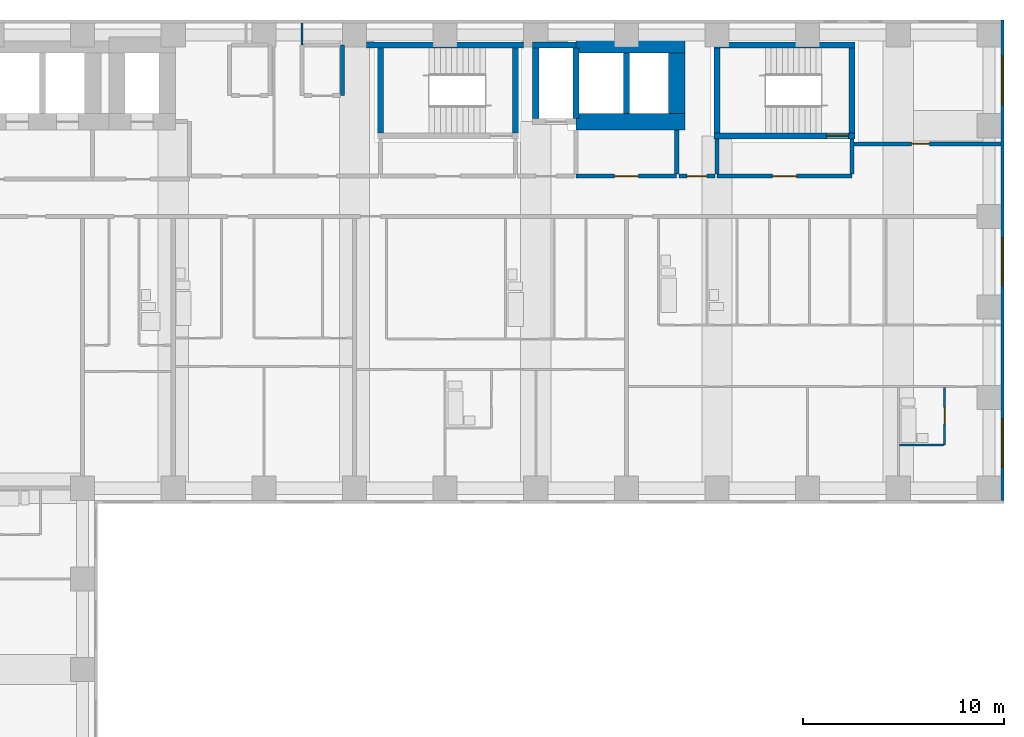
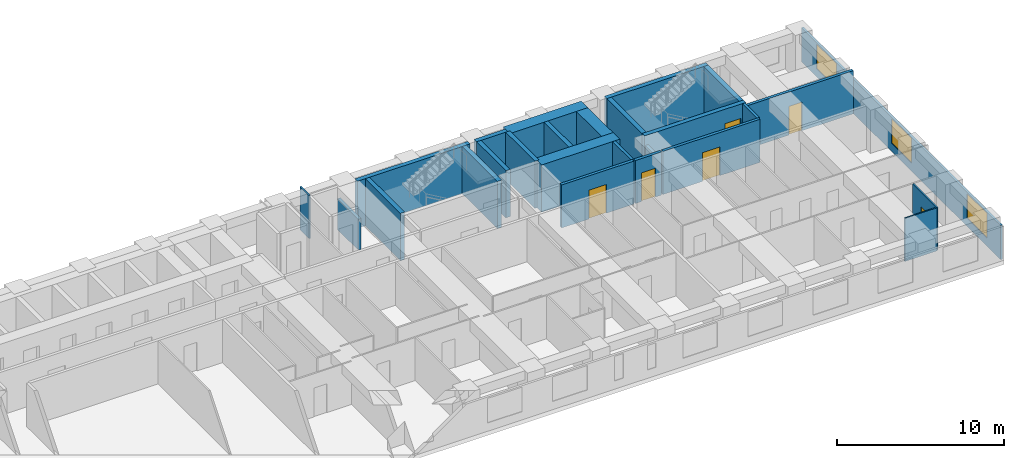
# One storey, part 10 of 13: 26 walls, 6 doors, 3 windows, 9 openings.
"""IFC4 building model written with IfcOpenShell, lengths in metres."""

from ifc_helpers import new_model, si_unit, direction, frame, frame_2d, origin, place, context, subcontext, project, spatial, rectangle, extrude, material, layer, layer_set, type_object, element, fill, save


model = new_model("IFC4")

# Units and contexts
model_context = context("Model", 3, precision=1e-05, world=origin(), true_north=direction((0.0, 1.0)))
body_context = subcontext(model_context, "Body", "Model", "MODEL_VIEW")
ifc_project = project(units=[si_unit("LENGTHUNIT", "METRE"), si_unit("AREAUNIT", "SQUARE_METRE"), si_unit("VOLUMEUNIT", "CUBIC_METRE"), si_unit("PLANEANGLEUNIT", "RADIAN"), si_unit("MASSUNIT", "GRAM", prefix="KILO")], contexts=[model_context])

# Site, building, storey
site_placement = place(None, origin())
site = spatial("IfcSite", under=ifc_project, at=site_placement, CompositionType="ELEMENT")
building_placement = place(site_placement, origin())
building = spatial("IfcBuilding", under=site, at=building_placement, Name="Firuza Court", CompositionType="ELEMENT")
storey_placement = place(building_placement, frame((0.0, 0.0, 104.60009765625)))
storey = spatial("IfcBuildingStorey", under=building, at=storey_placement, Name="L26", CompositionType="ELEMENT", Elevation=104.60009765625)

# Wall
ifc_material_1 = material(Name="Moisture-resistant gypsum board partition")
ifc_layer_1 = layer(ifc_material_1, 0.10009765625)
ifc_layer_set_1 = layer_set([ifc_layer_1], Name="Moisture-resistant gypsum board partition")
wall_type_1 = type_object("IfcWallType", Name="Bathroom partition 100", PredefinedType="PLUMBINGWALL", material=ifc_layer_set_1)
wall_1_placement = place(storey_placement, frame((63.050048828125, 38.14990234375, 0.0), z_axis=(0.0, 0.0, 1.0), x_axis=(1.0, 0.0, 0.0)))
element("IfcWall", 1, at=wall_1_placement, inside=storey, type_object=wall_type_1, Name="Bathroom partition 100 L26", PredefinedType="PLUMBINGWALL", context=body_context, shape_type="SweptSolid", body=[
    extrude(rectangle(XDim=2.199951171875, YDim=0.10009765625, at=frame_2d((1.10009765625, 0.0))), origin(), (0.0, 0.0, 1.0), 3.14990234375),
])

# Wall, opening, door
wall_2_placement = place(storey_placement, frame((65.300048828125, 38.14990234375, 0.0), z_axis=(0.0, 0.0, 1.0), x_axis=(0.0, 1.0, 0.0)))
wall_2 = element("IfcWall", 2, at=wall_2_placement, inside=storey, type_object=wall_type_1, Name="Bathroom partition 100 L26", PredefinedType="PLUMBINGWALL", context=body_context, shape_type="SweptSolid", body=[
    extrude(rectangle(XDim=2.85009765625, YDim=0.10009765625, at=frame_2d((1.425048828125, 0.0))), origin(), (0.0, 0.0, 1.0), 3.14990234375),
])
opening_1_placement = place(wall_2_placement, frame((1.050048828125, 0.0, 0.0)))
opening_1 = element("IfcOpeningElement", 3, at=opening_1_placement, cuts=wall_2, Name="Opening D26042", PredefinedType="OPENING", context=body_context, shape_type="SweptSolid", body=[
    extrude(rectangle(XDim=0.800048828125, YDim=2.10009765625, at=frame_2d((0.39990234375, 1.050048828125))), frame((0.0, 0.06201171875, 0.0), z_axis=(0.0, -1.0, 0.0), x_axis=(1.0, 0.0, 0.0)), (0.0, 0.0, 1.0), 0.1240234375),
])
ifc_material_2 = material(Name="Timber door leaf in hardwood frame", Category="wood")
door_type_1 = type_object("IfcDoorType", Name="Bathroom door 800", OperationType="SINGLE_SWING_LEFT", PredefinedType="DOOR", material=ifc_material_2)
door_1_placement = place(opening_1_placement, origin())
door_1 = element("IfcDoor", 4, at=door_1_placement, inside=storey, type_object=door_type_1, Name="En-suite door", OperationType="SINGLE_SWING_LEFT", OverallHeight=2.10009765625, OverallWidth=0.800048828125, PredefinedType="DOOR", context=body_context, shape_type="SweptSolid", body=[
    extrude(rectangle(XDim=0.800048828125, YDim=2.10009765625, at=frame_2d((0.39990234375, 1.050048828125))), frame((0.0, 0.02490234375, 0.0), z_axis=(0.0, -1.0, 0.0), x_axis=(1.0, 0.0, 0.0)), (0.0, 0.0, 1.0), 0.050048828125),
])
fill(opening_1, door_1)

# Walls
ifc_material_3 = material(Name="Concrete C60/75", Category="concrete")
ifc_layer_2 = layer(ifc_material_3, 0.300048828125)
ifc_layer_set_2 = layer_set([ifc_layer_2], Name="Concrete C60/75")
wall_type_2 = type_object("IfcWallType", Name="Core wall 300 C60/75", PredefinedType="SHEAR", material=ifc_layer_set_2)
wall_3_placement = place(storey_placement, frame((36.60009765625, 58.0, -0.300048828125), z_axis=(0.0, 0.0, 1.0), x_axis=(1.0, 0.0, 0.0)))
element("IfcWall", 5, at=wall_3_placement, inside=storey, type_object=wall_type_2, Name="Core wall stair L26", PredefinedType="SHEAR", context=body_context, shape_type="SweptSolid", body=[
    extrude(rectangle(XDim=7.7998046875, YDim=0.300048828125, at=frame_2d((3.89990234375, 0.0))), origin(), (0.0, 0.0, 1.0), 3.449951171875),
])
for number, where, z_axis, x_axis, name in (
    (6, (37.300048828125, 53.64990234375, -0.300048828125), (0.0, 0.0, 1.0), (0.0, 1.0, 0.0), "Core wall stair L26"),
    (7, (44.0, 53.64990234375, -0.300048828125), (0.0, 0.0, 1.0), (0.0, 1.0, 0.0), "Core wall stair L26"),
):
    element("IfcWall", number, at=place(storey_placement, frame(where, z_axis=z_axis, x_axis=x_axis)), inside=storey, type_object=wall_type_2, Name=name, PredefinedType="SHEAR", context=body_context, shape_type="SweptSolid", body=[
        extrude(rectangle(XDim=4.2001953125, YDim=0.300048828125, at=frame_2d((2.10009765625, 0.0))), origin(), (0.0, 0.0, 1.0), 3.449951171875),
    ])
wall_4_placement = place(storey_placement, frame((44.85009765625, 58.0, -0.300048828125), z_axis=(0.0, 0.0, 1.0), x_axis=(1.0, 0.0, 0.0)))
element("IfcWall", 8, at=wall_4_placement, inside=storey, type_object=wall_type_2, Name="Core wall riser L26", PredefinedType="SHEAR", context=body_context, shape_type="SweptSolid", body=[
    extrude(rectangle(XDim=2.14990234375, YDim=0.300048828125, at=frame_2d((1.074951171875, 0.0))), origin(), (0.0, 0.0, 1.0), 3.449951171875),
])
for number, where, z_axis, x_axis, name in (
    (9, (45.0, 54.35009765625, -0.300048828125), (0.0, 0.0, 1.0), (0.0, 1.0, 0.0), "Core wall riser L26"),
    (10, (47.0, 54.35009765625, -0.300048828125), (0.0, 0.0, 1.0), (0.0, 1.0, 0.0), "Core wall lift shaft L26"),
):
    element("IfcWall", number, at=place(storey_placement, frame(where, z_axis=z_axis, x_axis=x_axis)), inside=storey, type_object=wall_type_2, Name=name, PredefinedType="SHEAR", context=body_context, shape_type="SweptSolid", body=[
        extrude(rectangle(XDim=3.5, YDim=0.300048828125, at=frame_2d((1.75, 0.0))), origin(), (0.0, 0.0, 1.0), 3.449951171875),
    ])
wall_5_placement = place(storey_placement, frame((49.5, 54.60009765625, -0.300048828125), z_axis=(0.0, 0.0, 1.0), x_axis=(0.0, 1.0, 0.0)))
element("IfcWall", 11, at=wall_5_placement, inside=storey, type_object=wall_type_2, Name="Core wall lift shaft L26", PredefinedType="SHEAR", context=body_context, shape_type="SweptSolid", body=[
    extrude(rectangle(XDim=3.0, YDim=0.300048828125, at=frame_2d((1.5, 0.0))), origin(), (0.0, 0.0, 1.0), 3.449951171875),
])

# Wall, opening, door
wall_6_placement = place(storey_placement, frame((53.85009765625, 53.5, -0.300048828125), z_axis=(0.0, 0.0, 1.0), x_axis=(1.0, 0.0, 0.0)))
wall_6 = element("IfcWall", 12, at=wall_6_placement, inside=storey, type_object=wall_type_2, Name="Core wall stair L26", PredefinedType="SHEAR", context=body_context, shape_type="SweptSolid", body=[
    extrude(rectangle(XDim=7.0, YDim=0.300048828125, at=frame_2d((3.5, 0.0))), origin(), (0.0, 0.0, 1.0), 3.449951171875),
])
opening_2_placement = place(wall_6_placement, frame((5.580078125, 0.0, 0.300048828125)))
opening_2 = element("IfcOpeningElement", 13, at=opening_2_placement, cuts=wall_6, Name="Opening D26017", PredefinedType="OPENING", context=body_context, shape_type="SweptSolid", body=[
    extrude(rectangle(XDim=1.10009765625, YDim=2.10009765625, at=frame_2d((0.550048828125, 1.050048828125))), frame((0.0, 0.162109375, 0.0), z_axis=(0.0, -1.0, 0.0), x_axis=(1.0, 0.0, 0.0)), (0.0, 0.0, 1.0), 0.323974609375),
])
ifc_material_4 = material(Name="Timber door leaf in hardwood frame", Category="wood")
door_type_2 = type_object("IfcDoorType", Name="Stair door 1100", OperationType="SINGLE_SWING_LEFT", PredefinedType="DOOR", material=ifc_material_4)
door_2_placement = place(opening_2_placement, origin())
door_2 = element("IfcDoor", 14, at=door_2_placement, inside=storey, type_object=door_type_2, Name="Stair door S4", OperationType="SINGLE_SWING_RIGHT", OverallHeight=2.10009765625, OverallWidth=1.10009765625, PredefinedType="DOOR", context=body_context, shape_type="SweptSolid", body=[
    extrude(rectangle(XDim=1.10009765625, YDim=2.10009765625, at=frame_2d((0.550048828125, 1.050048828125))), frame((0.0, 0.02490234375, 0.0), z_axis=(0.0, -1.0, 0.0), x_axis=(1.0, 0.0, 0.0)), (0.0, 0.0, 1.0), 0.050048828125),
])
fill(opening_2, door_2)

# Walls
wall_7_placement = place(storey_placement, frame((53.85009765625, 58.0, -0.300048828125), z_axis=(0.0, 0.0, 1.0), x_axis=(1.0, 0.0, 0.0)))
element("IfcWall", 15, at=wall_7_placement, inside=storey, type_object=wall_type_2, Name="Core wall stair L26", PredefinedType="SHEAR", context=body_context, shape_type="SweptSolid", body=[
    extrude(rectangle(XDim=7.0, YDim=0.300048828125, at=frame_2d((3.5, 0.0))), origin(), (0.0, 0.0, 1.0), 3.449951171875),
])
for number, where, z_axis, x_axis, name in (
    (16, (54.0, 53.64990234375, -0.300048828125), (0.0, 0.0, 1.0), (0.0, 1.0, 0.0), "Core wall stair L26"),
    (17, (60.699951171875, 53.64990234375, -0.300048828125), (0.0, 0.0, 1.0), (0.0, 1.0, 0.0), "Core wall stair L26"),
):
    element("IfcWall", number, at=place(storey_placement, frame(where, z_axis=z_axis, x_axis=x_axis)), inside=storey, type_object=wall_type_2, Name=name, PredefinedType="SHEAR", context=body_context, shape_type="SweptSolid", body=[
        extrude(rectangle(XDim=4.2001953125, YDim=0.300048828125, at=frame_2d((2.10009765625, 0.0))), origin(), (0.0, 0.0, 1.0), 3.449951171875),
    ])
ifc_layer_3 = layer(ifc_material_3, 0.800048828125)
ifc_layer_set_3 = layer_set([ifc_layer_3], Name="Concrete C60/75")
wall_type_3 = type_object("IfcWallType", Name="Core wall 800 C60/75", PredefinedType="SHEAR", material=ifc_layer_set_3)
for number, where, z_axis, x_axis, name in (
    (18, (47.0, 54.199951171875, -0.300048828125), (0.0, 0.0, 1.0), (1.0, 0.0, 0.0), "Core wall lift shaft L26"),
    (19, (47.0, 58.0, -0.300048828125), (0.0, 0.0, 1.0), (1.0, 0.0, 0.0), "Core wall lift shaft L26"),
):
    element("IfcWall", number, at=place(storey_placement, frame(where, z_axis=z_axis, x_axis=x_axis)), inside=storey, type_object=wall_type_3, Name=name, PredefinedType="SHEAR", context=body_context, shape_type="SweptSolid", body=[
        extrude(rectangle(XDim=5.39990234375, YDim=0.800048828125, at=frame_2d((2.699951171875, 0.0))), origin(), (0.0, 0.0, 1.0), 3.449951171875),
    ])
wall_8_placement = place(storey_placement, frame((52.0, 54.60009765625, -0.300048828125), z_axis=(0.0, 0.0, 1.0), x_axis=(0.0, 1.0, 0.0)))
element("IfcWall", 20, at=wall_8_placement, inside=storey, type_object=wall_type_3, Name="Core wall lift shaft L26", PredefinedType="SHEAR", context=body_context, shape_type="SweptSolid", body=[
    extrude(rectangle(XDim=3.0, YDim=0.800048828125, at=frame_2d((1.5, 0.0))), origin(), (0.0, 0.0, 1.0), 3.449951171875),
])

# Wall, opening, door
ifc_material_5 = material(Name="Blockwork, plastered both sides", Category="masonry")
ifc_layer_4 = layer(ifc_material_5, 0.199951171875)
ifc_layer_set_4 = layer_set([ifc_layer_4], Name="Blockwork, plastered both sides")
wall_type_4 = type_object("IfcWallType", Name="Corridor wall 200", PredefinedType="PARTITIONING", material=ifc_layer_set_4)
wall_9_placement = place(storey_placement, frame((52.10009765625, 51.5, 0.0), z_axis=(0.0, 0.0, 1.0), x_axis=(1.0, 0.0, 0.0)))
wall_9 = element("IfcWall", 21, at=wall_9_placement, inside=storey, type_object=wall_type_4, Name="Corridor wall 200 L26", PredefinedType="PARTITIONING", context=body_context, shape_type="SweptSolid", body=[
    extrude(rectangle(XDim=1.7998046875, YDim=0.199951171875, at=frame_2d((0.89990234375, 0.0))), origin(), (0.0, 0.0, 1.0), 3.14990234375),
])
opening_3_placement = place(wall_9_placement, frame((0.39990234375, 0.0, 0.0)))
opening_3 = element("IfcOpeningElement", 22, at=opening_3_placement, cuts=wall_9, Name="Opening D26077", PredefinedType="OPENING", context=body_context, shape_type="SweptSolid", body=[
    extrude(rectangle(XDim=1.0, YDim=2.10009765625, at=frame_2d((0.5, 1.050048828125))), frame((0.0, 0.11181640625, 0.0), z_axis=(0.0, -1.0, 0.0), x_axis=(1.0, 0.0, 0.0)), (0.0, 0.0, 1.0), 0.223876953125),
])
ifc_material_6 = material(Name="Timber door leaf in hardwood frame", Category="wood")
door_type_3 = type_object("IfcDoorType", Name="Store door 1000", OperationType="SINGLE_SWING_LEFT", PredefinedType="DOOR", material=ifc_material_6)
door_3_placement = place(opening_3_placement, origin())
door_3 = element("IfcDoor", 23, at=door_3_placement, inside=storey, type_object=door_type_3, Name="Cleaner's store door", OperationType="SINGLE_SWING_LEFT", OverallHeight=2.10009765625, OverallWidth=1.0, PredefinedType="DOOR", context=body_context, shape_type="SweptSolid", body=[
    extrude(rectangle(XDim=1.0, YDim=2.10009765625, at=frame_2d((0.5, 1.050048828125))), frame((0.0, 0.02490234375, 0.0), z_axis=(0.0, -1.0, 0.0), x_axis=(1.0, 0.0, 0.0)), (0.0, 0.0, 1.0), 0.050048828125),
])
fill(opening_3, door_3)

wall_10_placement = place(storey_placement, frame((60.800048828125, 53.10009765625, 0.0), z_axis=(0.0, 0.0, 1.0), x_axis=(1.0, 0.0, 0.0)))
wall_10 = element("IfcWall", 24, at=wall_10_placement, inside=storey, type_object=wall_type_4, Name="Corridor wall 200 L26", PredefinedType="PARTITIONING", context=body_context, shape_type="SweptSolid", body=[
    extrude(rectangle(XDim=7.300048828125, YDim=0.199951171875, at=frame_2d((3.64990234375, 0.0))), origin(), (0.0, 0.0, 1.0), 3.14990234375),
])
opening_4_placement = place(wall_10_placement, frame((2.85009765625, 0.0, 0.0)))
opening_4 = element("IfcOpeningElement", 25, at=opening_4_placement, cuts=wall_10, Name="Opening D26078", PredefinedType="OPENING", context=body_context, shape_type="SweptSolid", body=[
    extrude(rectangle(XDim=0.89990234375, YDim=2.10009765625, at=frame_2d((0.449951171875, 1.050048828125))), frame((0.0, 0.11181640625, 0.0), z_axis=(0.0, -1.0, 0.0), x_axis=(1.0, 0.0, 0.0)), (0.0, 0.0, 1.0), 0.223876953125),
])
ifc_material_7 = material(Name="Timber door leaf in hardwood frame", Category="wood")
door_type_4 = type_object("IfcDoorType", Name="Room door 900 EI 30", OperationType="SINGLE_SWING_LEFT", PredefinedType="DOOR", material=ifc_material_7)
door_4_placement = place(opening_4_placement, origin())
door_4 = element("IfcDoor", 26, at=door_4_placement, inside=storey, type_object=door_type_4, Name="Meeting room door", OperationType="SINGLE_SWING_LEFT", OverallHeight=2.10009765625, OverallWidth=0.89990234375, PredefinedType="DOOR", context=body_context, shape_type="SweptSolid", body=[
    extrude(rectangle(XDim=0.89990234375, YDim=2.10009765625, at=frame_2d((0.449951171875, 1.050048828125))), frame((0.0, 0.02490234375, 0.0), z_axis=(0.0, -1.0, 0.0), x_axis=(1.0, 0.0, 0.0)), (0.0, 0.0, 1.0), 0.050048828125),
])
fill(opening_4, door_4)

# Walls
ifc_material_8 = material(Name="Timber stud partition, plasterboard both sides", Category="wood")
ifc_layer_5 = layer(ifc_material_8, 0.10009765625)
ifc_layer_set_5 = layer_set([ifc_layer_5], Name="Timber stud partition, plasterboard both sides")
wall_type_5 = type_object("IfcWallType", Name="Partition wall 100", PredefinedType="PARTITIONING", material=ifc_layer_set_5)
wall_11_placement = place(storey_placement, frame((33.39990234375, 58.0, 0.0), z_axis=(0.0, 0.0, 1.0), x_axis=(0.0, 1.0, 0.0)))
element("IfcWall", 27, at=wall_11_placement, inside=storey, type_object=wall_type_5, Name="Partition wall 100 L26", PredefinedType="PARTITIONING", context=body_context, shape_type="SweptSolid", body=[
    extrude(rectangle(XDim=1.10009765625, YDim=0.10009765625, at=frame_2d((0.550048828125, 0.0))), origin(), (0.0, 0.0, 1.0), 3.14990234375),
])
ifc_material_9 = material(Name="Blockwork, fire-rated", Category="masonry")
ifc_layer_6 = layer(ifc_material_9, 0.199951171875)
ifc_layer_set_6 = layer_set([ifc_layer_6], Name="Blockwork, fire-rated")
wall_type_6 = type_object("IfcWallType", Name="Plant room wall 200", PredefinedType="PARTITIONING", material=ifc_layer_set_6)
wall_12_placement = place(storey_placement, frame((35.39990234375, 55.5, 0.0), z_axis=(0.0, 0.0, 1.0), x_axis=(0.0, 1.0, 0.0)))
element("IfcWall", 28, at=wall_12_placement, inside=storey, type_object=wall_type_6, Name="Plant room wall 200 L26", PredefinedType="PARTITIONING", context=body_context, shape_type="SweptSolid", body=[
    extrude(rectangle(XDim=2.5, YDim=0.199951171875, at=frame_2d((1.25, 0.0))), origin(), (0.0, 0.0, 1.0), 2.25),
])

# Wall, openings, windows
ifc_material_10 = material(Name="Ceramic tile", Category="ceramic")
ifc_layer_7 = layer(ifc_material_10, 0.02001953125)
ifc_material_11 = material(Name="Mineral wool insulation", Category="insulation")
ifc_layer_8 = layer(ifc_material_11, 0.050048828125)
ifc_material_12 = material(Name="Concrete C40/50 precast", Category="concrete")
ifc_layer_9 = layer(ifc_material_12, 0.080078125)
ifc_layer_set_7 = layer_set([ifc_layer_7, ifc_layer_8, ifc_layer_9], Name="Concrete C40/50 precast")
wall_type_7 = type_object("IfcWallType", Name="Precast cladding wall with turquoise TILE PANEL face 150", PredefinedType="STANDARD", material=ifc_layer_set_7)
wall_13_placement = place(storey_placement, frame((68.175048828125, 35.39990234375, 0.0), z_axis=(0.0, 0.0, 1.0), x_axis=(0.0, 1.0, 0.0)))
wall_13 = element("IfcWall", 29, at=wall_13_placement, inside=storey, type_object=wall_type_7, Name="Facade wall L26 E", PredefinedType="STANDARD", context=body_context, shape_type="SweptSolid", body=[
    extrude(rectangle(XDim=23.85009765625, YDim=0.14990234375, at=frame_2d((11.925048828125, 0.0))), origin(), (0.0, 0.0, 1.0), 2.5),
])
opening_5_placement = place(wall_13_placement, frame((1.64990234375, 0.0, 0.60009765625)))
opening_5 = element("IfcOpeningElement", 30, at=opening_5_placement, cuts=wall_13, Name="Opening W1", PredefinedType="OPENING", context=body_context, shape_type="SweptSolid", body=[
    extrude(rectangle(XDim=2.39990234375, YDim=1.800048828125, at=frame_2d((1.199951171875, 0.89990234375))), frame((0.0, 0.0869140625, 0.0), z_axis=(0.0, -1.0, 0.0), x_axis=(1.0, 0.0, 0.0)), (0.0, 0.0, 1.0), 0.173828125),
])
opening_6_placement = place(wall_13_placement, frame((10.64990234375, 0.0, 0.60009765625)))
opening_6 = element("IfcOpeningElement", 31, at=opening_6_placement, cuts=wall_13, Name="Opening W1", PredefinedType="OPENING", context=body_context, shape_type="SweptSolid", body=[
    extrude(rectangle(XDim=2.39990234375, YDim=1.800048828125, at=frame_2d((1.199951171875, 0.89990234375))), frame((0.0, 0.0869140625, 0.0), z_axis=(0.0, -1.0, 0.0), x_axis=(1.0, 0.0, 0.0)), (0.0, 0.0, 1.0), 0.173828125),
])
opening_7_placement = place(wall_13_placement, frame((19.64990234375, 0.0, 0.60009765625)))
opening_7 = element("IfcOpeningElement", 32, at=opening_7_placement, cuts=wall_13, Name="Opening W1", PredefinedType="OPENING", context=body_context, shape_type="SweptSolid", body=[
    extrude(rectangle(XDim=2.39990234375, YDim=1.800048828125, at=frame_2d((1.199951171875, 0.89990234375))), frame((0.0, 0.0869140625, 0.0), z_axis=(0.0, -1.0, 0.0), x_axis=(1.0, 0.0, 0.0)), (0.0, 0.0, 1.0), 0.173828125),
])
ifc_material_13 = material(Name="Aluminium frame, triple clear glazing", Category="aluminium")
window_type = type_object("IfcWindowType", Name="Window W1 2400 x 1800", PartitioningType="SINGLE_PANEL", PredefinedType="WINDOW", material=ifc_material_13)
window_1_placement = place(opening_5_placement, origin())
window_1 = element("IfcWindow", 33, at=window_1_placement, inside=storey, type_object=window_type, Name="Window L26", OverallHeight=1.800048828125, OverallWidth=2.39990234375, PartitioningType="SINGLE_PANEL", PredefinedType="WINDOW", context=body_context, shape_type="SweptSolid", body=[
    extrude(rectangle(XDim=2.39990234375, YDim=1.800048828125, at=frame_2d((1.199951171875, 0.89990234375))), frame((0.0, 0.030029296875, 0.0), z_axis=(0.0, -1.0, 0.0), x_axis=(1.0, 0.0, 0.0)), (0.0, 0.0, 1.0), 0.06005859375),
])
fill(opening_5, window_1)
window_2_placement = place(opening_6_placement, origin())
window_2 = element("IfcWindow", 34, at=window_2_placement, inside=storey, type_object=window_type, Name="Window L26", OverallHeight=1.800048828125, OverallWidth=2.39990234375, PartitioningType="SINGLE_PANEL", PredefinedType="WINDOW", context=body_context, shape_type="SweptSolid", body=[
    extrude(rectangle(XDim=2.39990234375, YDim=1.800048828125, at=frame_2d((1.199951171875, 0.89990234375))), frame((0.0, 0.030029296875, 0.0), z_axis=(0.0, -1.0, 0.0), x_axis=(1.0, 0.0, 0.0)), (0.0, 0.0, 1.0), 0.06005859375),
])
fill(opening_6, window_2)
window_3_placement = place(opening_7_placement, origin())
window_3 = element("IfcWindow", 35, at=window_3_placement, inside=storey, type_object=window_type, Name="Window L26", OverallHeight=1.800048828125, OverallWidth=2.39990234375, PartitioningType="SINGLE_PANEL", PredefinedType="WINDOW", context=body_context, shape_type="SweptSolid", body=[
    extrude(rectangle(XDim=2.39990234375, YDim=1.800048828125, at=frame_2d((1.199951171875, 0.89990234375))), frame((0.0, 0.030029296875, 0.0), z_axis=(0.0, -1.0, 0.0), x_axis=(1.0, 0.0, 0.0)), (0.0, 0.0, 1.0), 0.06005859375),
])
fill(opening_7, window_3)

# Wall, opening, door
ifc_layer_10 = layer(ifc_material_9, 0.199951171875)
ifc_layer_set_8 = layer_set([ifc_layer_10], Name="Blockwork, fire-rated")
wall_type_8 = type_object("IfcWallType", Name="Shaft wall 200", PredefinedType="PARTITIONING", material=ifc_layer_set_8)
wall_14_placement = place(storey_placement, frame((47.0, 51.5, 0.0), z_axis=(0.0, 0.0, 1.0), x_axis=(1.0, 0.0, 0.0)))
wall_14 = element("IfcWall", 36, at=wall_14_placement, inside=storey, type_object=wall_type_8, Name="Shaft wall 200 L26", PredefinedType="PARTITIONING", context=body_context, shape_type="SweptSolid", body=[
    extrude(rectangle(XDim=5.0, YDim=0.199951171875, at=frame_2d((2.5, 0.0))), origin(), (0.0, 0.0, 1.0), 3.14990234375),
])
opening_8_placement = place(wall_14_placement, frame((1.89990234375, 0.0, 0.0)))
opening_8 = element("IfcOpeningElement", 37, at=opening_8_placement, cuts=wall_14, Name="Opening D26009", PredefinedType="OPENING", context=body_context, shape_type="SweptSolid", body=[
    extrude(rectangle(XDim=1.199951171875, YDim=2.10009765625, at=frame_2d((0.60009765625, 1.050048828125))), frame((0.0, 0.11181640625, 0.0), z_axis=(0.0, -1.0, 0.0), x_axis=(1.0, 0.0, 0.0)), (0.0, 0.0, 1.0), 0.223876953125),
])
ifc_material_14 = material(Name="Timber door leaf in hardwood frame", Category="wood")
door_type_5 = type_object("IfcDoorType", Name="Lobby door 1200", OperationType="SINGLE_SWING_LEFT", PredefinedType="DOOR", material=ifc_material_14)
door_5_placement = place(opening_8_placement, origin())
door_5 = element("IfcDoor", 38, at=door_5_placement, inside=storey, type_object=door_type_5, Name="Lobby door", OperationType="SINGLE_SWING_LEFT", OverallHeight=2.10009765625, OverallWidth=1.199951171875, PredefinedType="DOOR", context=body_context, shape_type="SweptSolid", body=[
    extrude(rectangle(XDim=1.199951171875, YDim=2.10009765625, at=frame_2d((0.60009765625, 1.050048828125))), frame((0.0, 0.02490234375, 0.0), z_axis=(0.0, -1.0, 0.0), x_axis=(1.0, 0.0, 0.0)), (0.0, 0.0, 1.0), 0.050048828125),
])
fill(opening_8, door_5)

# Wall
wall_15_placement = place(storey_placement, frame((52.0, 51.60009765625, 0.0), z_axis=(0.0, 0.0, 1.0), x_axis=(0.0, 1.0, 0.0)))
element("IfcWall", 39, at=wall_15_placement, inside=storey, type_object=wall_type_8, Name="Shaft wall 200 L26", PredefinedType="PARTITIONING", context=body_context, shape_type="SweptSolid", body=[
    extrude(rectangle(XDim=2.179931640625, YDim=0.199951171875, at=frame_2d((1.08984375, 0.0))), origin(), (0.0, 0.0, 1.0), 3.14990234375),
])

# Wall, opening, door
wall_16_placement = place(storey_placement, frame((54.0, 51.5, 0.0), z_axis=(0.0, 0.0, 1.0), x_axis=(1.0, 0.0, 0.0)))
wall_16 = element("IfcWall", 40, at=wall_16_placement, inside=storey, type_object=wall_type_8, Name="Shaft wall 200 L26", PredefinedType="PARTITIONING", context=body_context, shape_type="SweptSolid", body=[
    extrude(rectangle(XDim=6.699951171875, YDim=0.199951171875, at=frame_2d((3.35009765625, 0.0))), origin(), (0.0, 0.0, 1.0), 3.14990234375),
])
opening_9_placement = place(wall_16_placement, frame((2.75, 0.0, 0.0)))
opening_9 = element("IfcOpeningElement", 41, at=opening_9_placement, cuts=wall_16, Name="Opening D26007", PredefinedType="OPENING", context=body_context, shape_type="SweptSolid", body=[
    extrude(rectangle(XDim=1.199951171875, YDim=2.10009765625, at=frame_2d((0.60009765625, 1.050048828125))), frame((0.0, 0.11181640625, 0.0), z_axis=(0.0, -1.0, 0.0), x_axis=(1.0, 0.0, 0.0)), (0.0, 0.0, 1.0), 0.223876953125),
])
door_6_placement = place(opening_9_placement, origin())
door_6 = element("IfcDoor", 42, at=door_6_placement, inside=storey, type_object=door_type_5, Name="Lobby door", OperationType="SINGLE_SWING_LEFT", OverallHeight=2.10009765625, OverallWidth=1.199951171875, PredefinedType="DOOR", context=body_context, shape_type="SweptSolid", body=[
    extrude(rectangle(XDim=1.199951171875, YDim=2.10009765625, at=frame_2d((0.60009765625, 1.050048828125))), frame((0.0, 0.02490234375, 0.0), z_axis=(0.0, -1.0, 0.0), x_axis=(1.0, 0.0, 0.0)), (0.0, 0.0, 1.0), 0.050048828125),
])
fill(opening_9, door_6)

# Walls
wall_17_placement = place(storey_placement, frame((60.699951171875, 51.60009765625, 0.0), z_axis=(0.0, 0.0, 1.0), x_axis=(0.0, 1.0, 0.0)))
element("IfcWall", 43, at=wall_17_placement, inside=storey, type_object=wall_type_8, Name="Shaft wall 200 L26", PredefinedType="PARTITIONING", context=body_context, shape_type="SweptSolid", body=[
    extrude(rectangle(XDim=1.72998046875, YDim=0.199951171875, at=frame_2d((0.864990234375, 0.0))), origin(), (0.0, 0.0, 1.0), 3.14990234375),
])
wall_18_placement = place(storey_placement, frame((54.0, 51.60009765625, 0.0), z_axis=(0.0, 0.0, 1.0), x_axis=(0.0, 1.0, 0.0)))
element("IfcWall", 44, at=wall_18_placement, inside=storey, type_object=wall_type_8, Name="Shaft wall 200 L26", PredefinedType="PARTITIONING", context=body_context, shape_type="SweptSolid", body=[
    extrude(rectangle(XDim=1.72998046875, YDim=0.199951171875, at=frame_2d((0.864990234375, 0.0))), origin(), (0.0, 0.0, 1.0), 2.449951171875),
])

save(model, "model.ifc")
